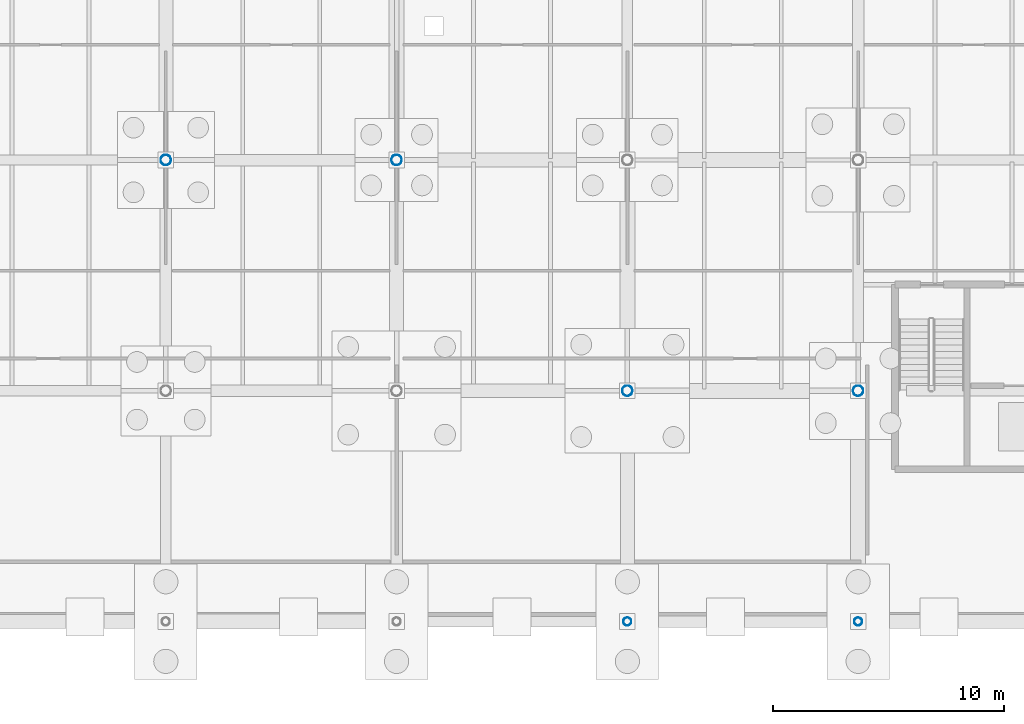
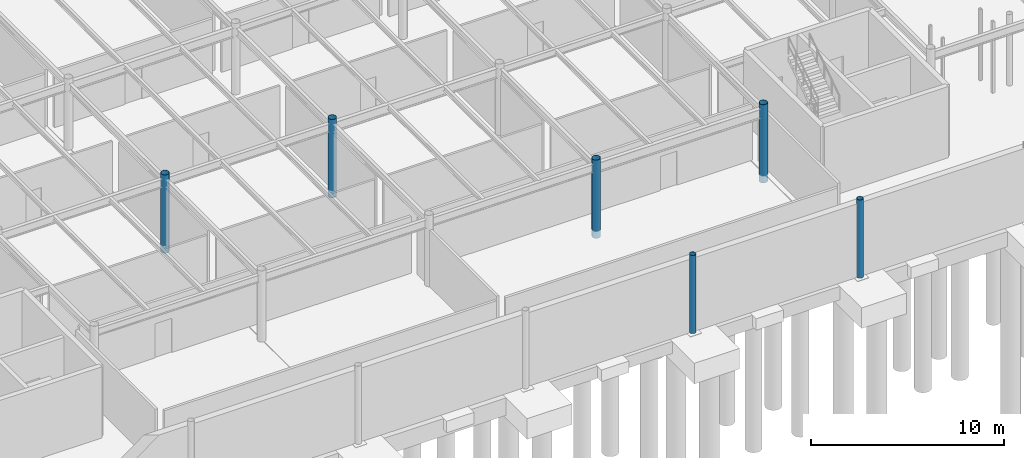
# One storey, part 21 of 75: 6 columns.
"""IFC4 building model written with IfcOpenShell, lengths in metres."""

from ifc_helpers import new_model, si_unit, derived_unit, direction, frame, origin, origin_2d_with_axis, place, context, subcontext, project, spatial, hollow_circle, extrude, material, material_profile, profile_set, type_object, element, save


model = new_model("IFC4")

# Units and contexts
model_context = context("Model", 3, precision=1e-05, world=origin(), true_north=direction((0.0, 1.0)))
body_context = subcontext(model_context, "Body", "Model", "MODEL_VIEW")
ifc_project = project(units=[si_unit("LENGTHUNIT", "METRE"), si_unit("AREAUNIT", "SQUARE_METRE"), si_unit("VOLUMEUNIT", "CUBIC_METRE"), si_unit("PLANEANGLEUNIT", "RADIAN"), si_unit("MASSUNIT", "GRAM", prefix="KILO"), derived_unit("THERMALTRANSMITTANCEUNIT", [(si_unit("POWERUNIT", "WATT"), 1), (si_unit("LENGTHUNIT", "METRE"), -2), (si_unit("THERMODYNAMICTEMPERATUREUNIT", "KELVIN"), -1)])], contexts=[model_context])

# Site, building, storey
site_placement = place(None, origin())
site = spatial("IfcSite", under=ifc_project, at=site_placement, CompositionType="ELEMENT")
building_placement = place(site_placement, origin())
building = spatial("IfcBuilding", under=site, at=building_placement, Name="Cinnabar Yard Market Hall", CompositionType="ELEMENT")
storey_placement = place(building_placement, frame((0.0, 0.0, -4.5)))
storey = spatial("IfcBuildingStorey", under=building, at=storey_placement, Name="B1", CompositionType="ELEMENT", Elevation=-4.5)

# Columns
ifc_material = material(Name="Spotted-gum glulam-clad steel Grade 350 (350 MPa)", Category="steel")
ifc_material_profile_1 = material_profile(ifc_material, hollow_circle(Radius=0.228515625, WallThickness=0.0126953125, at=origin_2d_with_axis()), Name="457.0x12.7CHS")
ifc_profile_set_1 = profile_set([ifc_material_profile_1], Name="Spotted-gum glulam-clad steel Grade 350 (350 MPa)")
column_type_1 = type_object("IfcColumnType", Name="COL-C01", PredefinedType="COLUMN", material=ifc_profile_set_1)
for number, where, z_axis, x_axis, name in (
    (1, (106.0, 34.0, -0.449951171875), (0.0, 0.0, 1.0), (1.0, 0.0, 0.0), "Tree Column V1I-04-02 B1"),
    (2, (116.0, 34.0, -0.449951171875), (0.0, 0.0, 1.0), (1.0, 0.0, 0.0), "Tree Column V1I-05-02 B1"),
    (3, (126.0, 24.0, -0.449951171875), (0.0, 0.0, 1.0), (1.0, 0.0, 0.0), "Tree Column V1I-06-01 B1"),
    (4, (136.0, 24.0, -0.449951171875), (0.0, 0.0, 1.0), (1.0, 0.0, 0.0), "Tree Column V1I-07-01 B1"),
):
    element("IfcColumn", number, at=place(storey_placement, frame(where, z_axis=z_axis, x_axis=x_axis)), inside=storey, type_object=column_type_1, Name=name, PredefinedType="COLUMN", context=body_context, shape_type="SweptSolid", body=[
        extrude(hollow_circle(Radius=0.228515625, WallThickness=0.0126953125, at=origin_2d_with_axis()), origin(), (0.0, 0.0, 1.0), 4.949951171875),
    ])
ifc_material_profile_2 = material_profile(ifc_material, hollow_circle(Radius=0.177734375, WallThickness=0.0126953125, at=origin_2d_with_axis()), Name="355.6x12.7CHS")
ifc_profile_set_2 = profile_set([ifc_material_profile_2], Name="Spotted-gum glulam-clad steel Grade 350 (350 MPa)")
column_type_2 = type_object("IfcColumnType", Name="COL-C02", PredefinedType="COLUMN", material=ifc_profile_set_2)
for number, where, z_axis, x_axis, name in (
    (5, (126.0, 14.0, -0.449951171875), (0.0, 0.0, 1.0), (1.0, 0.0, 0.0), "Tree Column V1S-05 B1"),
    (6, (136.0, 14.0, -0.449951171875), (0.0, 0.0, 1.0), (1.0, 0.0, 0.0), "Tree Column V1S-06 B1"),
):
    element("IfcColumn", number, at=place(storey_placement, frame(where, z_axis=z_axis, x_axis=x_axis)), inside=storey, type_object=column_type_2, Name=name, PredefinedType="COLUMN", context=body_context, shape_type="SweptSolid", body=[
        extrude(hollow_circle(Radius=0.177734375, WallThickness=0.0126953125, at=origin_2d_with_axis()), origin(), (0.0, 0.0, 1.0), 4.949951171875),
    ])

save(model, "model.ifc")
